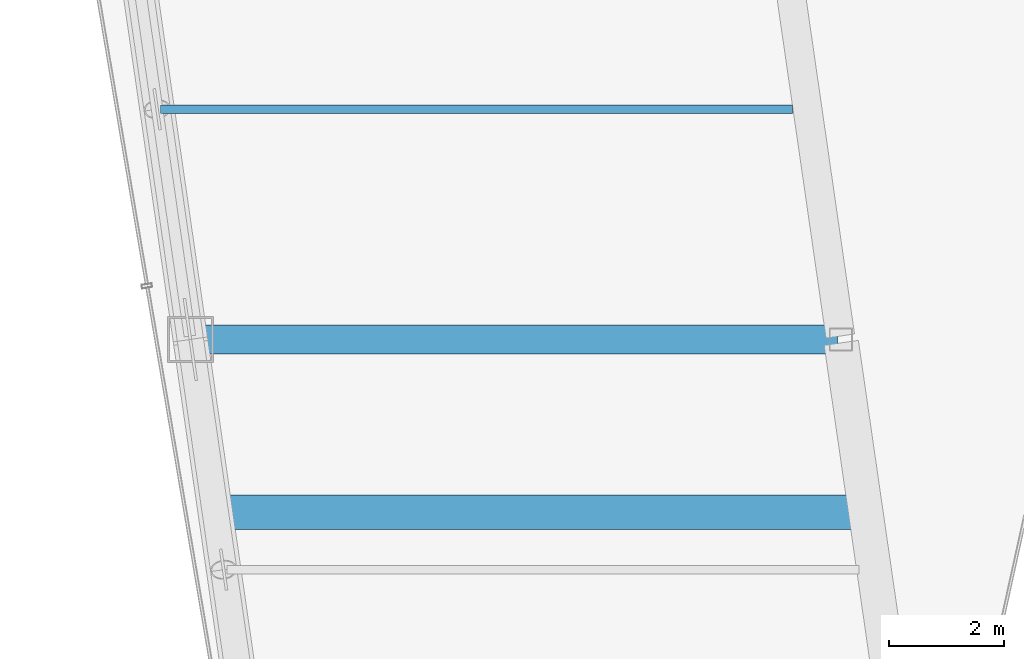
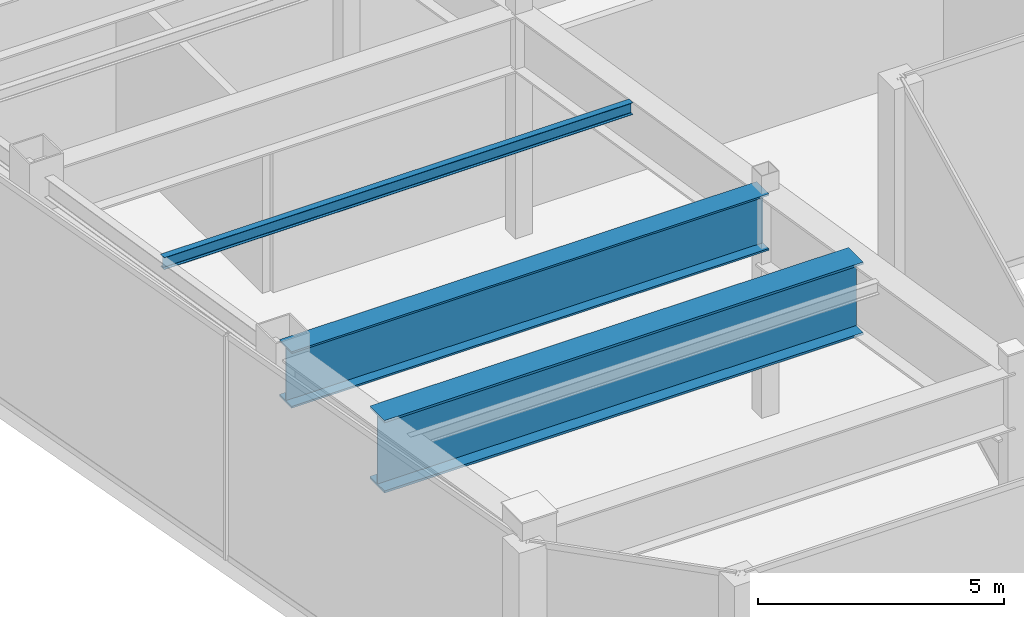
# One storey, part 6 of 34: 3 beams.
"""IFC4 building model written with IfcOpenShell, lengths in metres."""

from ifc_helpers import new_model, si_unit, direction, frame, origin, origin_2d, place, context, subcontext, project, spatial, i_section, extrude, material, material_profile, profile_set, type_object, element, save


model = new_model("IFC4")

# Units and contexts
model_context = context("Model", 3, precision=1e-05, world=origin(), true_north=direction((0.0, 1.0)))
body_context = subcontext(model_context, "Body", "Model", "MODEL_VIEW")
ifc_project = project(units=[si_unit("LENGTHUNIT", "METRE"), si_unit("AREAUNIT", "SQUARE_METRE"), si_unit("VOLUMEUNIT", "CUBIC_METRE"), si_unit("PLANEANGLEUNIT", "RADIAN"), si_unit("MASSUNIT", "GRAM", prefix="KILO")], contexts=[model_context])

# Site, building, storey
site_placement = place(None, origin())
site = spatial("IfcSite", under=ifc_project, at=site_placement, CompositionType="ELEMENT")
building_placement = place(site_placement, origin())
building = spatial("IfcBuilding", under=site, at=building_placement, Name="Saevonmaru Cultural Tower", CompositionType="ELEMENT")
storey_placement = place(building_placement, frame((0.0, 0.0, 224.60009765625)))
storey = spatial("IfcBuildingStorey", under=building, at=storey_placement, Name="L52", CompositionType="ELEMENT", Elevation=224.60009765625)

# Beams
ifc_material_1 = material(Name="Steel SM355", Category="steel")
ifc_material_profile_1 = material_profile(ifc_material_1, i_section(OverallWidth=0.14990234375, OverallDepth=0.300048828125, WebThickness=0.006591796875, FlangeThickness=0.009033203125, FilletRadius=0.012939453125, at=origin_2d()), Name="H-300x150x6.5x9")
ifc_profile_set_1 = profile_set([ifc_material_profile_1], Name="Steel SM355")
beam_type_1 = type_object("IfcBeamType", Name="BM-J-H300", PredefinedType="JOIST", material=ifc_profile_set_1)
beam_1_placement = place(storey_placement, frame((8.95458984375, 28.0, 5.39990234375), z_axis=(1.0, 0.0, 0.0), x_axis=(0.0, 1.0, 0.0)))
element("IfcBeam", 1, at=beam_1_placement, inside=storey, type_object=beam_type_1, Name="L52 West Wing Floor Joist 2", PredefinedType="JOIST", context=body_context, shape_type="SweptSolid", body=[
    extrude(i_section(OverallWidth=0.14990234375, OverallDepth=0.300048828125, WebThickness=0.006591796875, FlangeThickness=0.009033203125, FilletRadius=0.012939453125, at=origin_2d()), origin(), (0.0, 0.0, 1.0), 10.98193359375),
])
ifc_material_2 = material(Name="Steel HSA600 (600 MPa)", Category="steel")
ifc_material_profile_2 = material_profile(ifc_material_2, i_section(OverallWidth=0.5, OverallDepth=1.39990234375, WebThickness=0.02392578125, FlangeThickness=0.044921875, at=origin_2d()), Name="PG-1400x500x24x45")
ifc_profile_set_2 = profile_set([ifc_material_profile_2], Name="Steel HSA600 (600 MPa)")
beam_type_2 = type_object("IfcBeamType", Name="BM-TG-PG1400", PredefinedType="BEAM", material=ifc_profile_set_2)
beam_2_placement = place(storey_placement, frame((9.531982421875, 24.0, 4.849853515625), z_axis=(1.0, 0.0, 0.0), x_axis=(0.0, 1.0, 0.0)))
element("IfcBeam", 2, at=beam_2_placement, inside=storey, type_object=beam_type_2, Name="L52 West Wing Transverse Girder 2", PredefinedType="BEAM", context=body_context, shape_type="SweptSolid", body=[
    extrude(i_section(OverallWidth=0.5, OverallDepth=1.39990234375, WebThickness=0.02392578125, FlangeThickness=0.044921875, at=origin_2d()), origin(), (0.0, 0.0, 1.0), 11.179931640625),
])
ifc_material_profile_3 = material_profile(ifc_material_2, i_section(OverallWidth=0.60009765625, OverallDepth=1.800048828125, WebThickness=0.028076171875, FlangeThickness=0.054931640625, at=origin_2d()), Name="PG-1800x600x28x55")
ifc_profile_set_3 = profile_set([ifc_material_profile_3], Name="Steel HSA600 (600 MPa)")
beam_type_3 = type_object("IfcBeamType", Name="BM-TG-PG1800", PredefinedType="BEAM", material=ifc_profile_set_3)
beam_3_placement = place(storey_placement, frame((9.945556640625, 21.0, 4.64990234375), z_axis=(1.0, 0.0, 0.0), x_axis=(0.0, 1.0, 0.0)))
element("IfcBeam", 3, at=beam_3_placement, inside=storey, type_object=beam_type_3, Name="L52 Setback Transfer Plate Girder West", PredefinedType="BEAM", context=body_context, shape_type="SweptSolid", body=[
    extrude(i_section(OverallWidth=0.60009765625, OverallDepth=1.800048828125, WebThickness=0.028076171875, FlangeThickness=0.054931640625, at=origin_2d()), origin(), (0.0, 0.0, 1.0), 11.219970703125),
])

save(model, "model.ifc")
